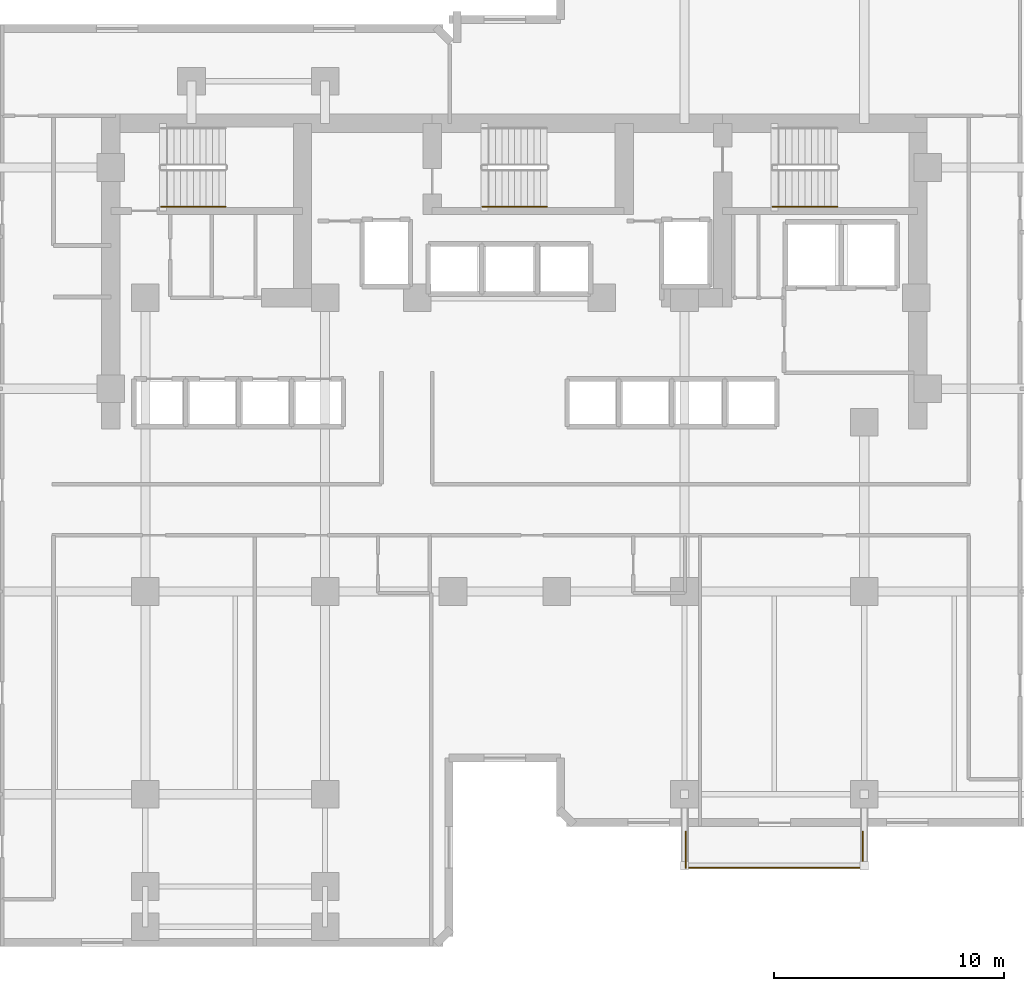
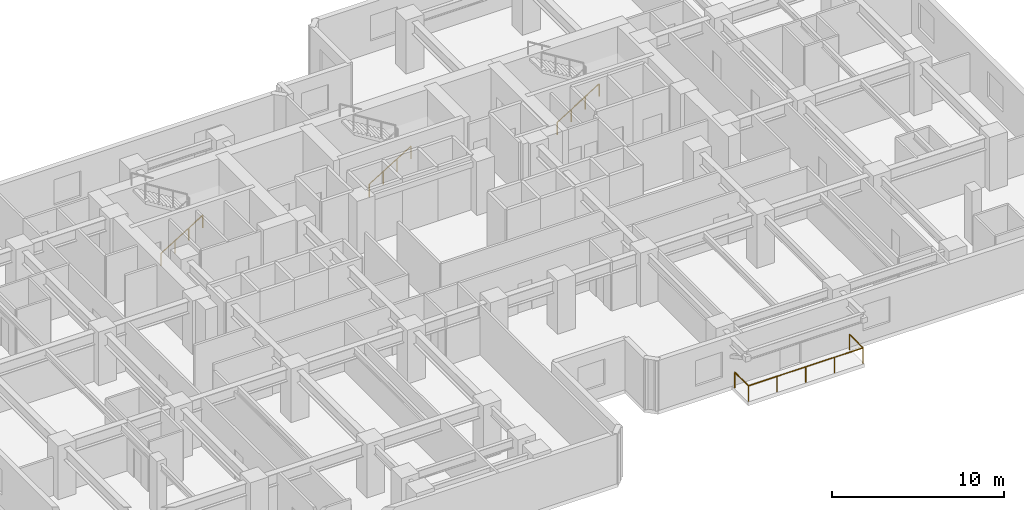
# One storey, part 10 of 11: 5 railings.
"""IFC4 building model written with IfcOpenShell, lengths in metres."""

from ifc_helpers import new_model, si_unit, direction, frame, origin, origin_2d, place, context, subcontext, project, spatial, circle, extrude, material, type_object, element, save


model = new_model("IFC4")

# Units and contexts
model_context = context("Model", 3, precision=1e-05, world=origin(), true_north=direction((0.0, 1.0)))
body_context = subcontext(model_context, "Body", "Model", "MODEL_VIEW")
ifc_project = project(units=[si_unit("LENGTHUNIT", "METRE"), si_unit("AREAUNIT", "SQUARE_METRE"), si_unit("VOLUMEUNIT", "CUBIC_METRE"), si_unit("PLANEANGLEUNIT", "RADIAN"), si_unit("MASSUNIT", "GRAM", prefix="KILO")], contexts=[model_context])

# Site, building, storey
site_placement = place(None, origin())
site = spatial("IfcSite", under=ifc_project, at=site_placement, CompositionType="ELEMENT")
building_placement = place(site_placement, origin())
building = spatial("IfcBuilding", under=site, at=building_placement, Name="Kestravale Grand Hotel", CompositionType="ELEMENT")
storey_placement = place(building_placement, frame((0.0, 0.0, 107.0)))
storey = spatial("IfcBuildingStorey", under=building, at=storey_placement, Name="L26", CompositionType="ELEMENT", Elevation=107.0)

# Railings
ifc_material_1 = material(Name="Champagne-bronze stainless steel and laminated glass guard", Category="steel")
railing_type_1 = type_object("IfcRailingType", Name="RL-EXT-1100", PredefinedType="GUARDRAIL", material=ifc_material_1)
railing_1_placement = place(storey_placement, frame((46.860107421875, 8.010009765625, 0.0)))
element("IfcRailing", 1, at=railing_1_placement, inside=storey, type_object=railing_type_1, Name="L26 outdoor terrace guard 1", PredefinedType="GUARDRAIL", context=body_context, shape_type="SweptSolid", body=[
    extrude(circle(Radius=0.02392578125, at=origin_2d()), frame((0.0, 0.0, 1.09619140625), z_axis=(0.0, 1.0, 0.0), x_axis=(-1.0, 0.0, 0.0)), (0.0, 0.0, 1.0), 1.570068359375),
    extrude(circle(Radius=0.02099609375, at=origin_2d()), origin(), (0.0, 0.0, 1.0), 1.072021484375),
    extrude(circle(Radius=0.02099609375, at=origin_2d()), frame((0.0, 1.570068359375, 0.0)), (0.0, 0.0, 1.0), 1.072021484375),
])
railing_2_placement = place(storey_placement, frame((54.5400390625, 9.580078125, 0.0)))
element("IfcRailing", 2, at=railing_2_placement, inside=storey, type_object=railing_type_1, Name="L26 outdoor terrace guard 2", PredefinedType="GUARDRAIL", context=body_context, shape_type="SweptSolid", body=[
    extrude(circle(Radius=0.02392578125, at=origin_2d()), frame((0.0, 0.0, 1.09619140625), z_axis=(0.0, -1.0, 0.0), x_axis=(1.0, 0.0, 0.0)), (0.0, 0.0, 1.0), 1.570068359375),
    extrude(circle(Radius=0.02392578125, at=origin_2d()), frame((0.0, -1.570068359375, 1.09619140625), z_axis=(-1.0, 0.0, 0.0), x_axis=(0.0, -1.0, 0.0)), (0.0, 0.0, 1.0), 7.679931640625),
    extrude(circle(Radius=0.02099609375, at=origin_2d()), origin(), (0.0, 0.0, 1.0), 1.072021484375),
    extrude(circle(Radius=0.02099609375, at=origin_2d()), frame((0.0, -1.570068359375, 0.0)), (0.0, 0.0, 1.0), 1.072021484375),
    extrude(circle(Radius=0.02099609375, at=origin_2d()), frame((-1.919921875, -1.570068359375, 0.0)), (0.0, 0.0, 1.0), 1.072021484375),
    extrude(circle(Radius=0.02099609375, at=origin_2d()), frame((-3.83984375, -1.570068359375, 0.0)), (0.0, 0.0, 1.0), 1.072021484375),
    extrude(circle(Radius=0.02099609375, at=origin_2d()), frame((-5.760009765625, -1.570068359375, 0.0)), (0.0, 0.0, 1.0), 1.072021484375),
    extrude(circle(Radius=0.02099609375, at=origin_2d()), frame((-7.679931640625, -1.570068359375, 0.0)), (0.0, 0.0, 1.0), 1.072021484375),
])
ifc_material_2 = material(Name="Brushed stainless steel wall handrail", Category="steel")
railing_type_2 = type_object("IfcRailingType", Name="RL-ST-HND900", PredefinedType="HANDRAIL", material=ifc_material_2)
railing_3_placement = place(storey_placement, frame((24.080078125, 36.699951171875, 0.172607421875)))
element("IfcRailing", 3, at=railing_3_placement, inside=storey, type_object=railing_type_2, Name="L26 ST-1 stair handrail 1", PredefinedType="HANDRAIL", context=body_context, shape_type="SweptSolid", body=[
    extrude(circle(Radius=0.02392578125, at=origin_2d()), frame((0.0, 0.0, 0.8759765625), z_axis=(0.851069175582, 0.0, 0.525053576669), x_axis=(0.0, 1.0, 0.0)), (0.0, 0.0, 1.0), 3.289794921875),
    extrude(circle(Radius=0.02099609375, at=origin_2d()), origin(), (0.0, 0.0, 1.0), 0.851806640625),
    extrude(circle(Radius=0.02099609375, at=origin_2d()), frame((0.933349609375, 0.0, 0.57568359375)), (0.0, 0.0, 1.0), 0.851806640625),
    extrude(circle(Radius=0.02099609375, at=origin_2d()), frame((1.866455078125, 0.0, 1.151611328125)), (0.0, 0.0, 1.0), 0.851806640625),
    extrude(circle(Radius=0.02099609375, at=origin_2d()), frame((2.7998046875, 0.0, 1.727294921875)), (0.0, 0.0, 1.0), 0.851806640625),
])
for number, where, name in (
    (4, (38.030029296875, 36.699951171875, 0.172607421875), "L26 ST-2 stair handrail 1"),
    (5, (50.6298828125, 36.699951171875, 0.172607421875), "L26 ST-3 stair handrail 1"),
):
    element("IfcRailing", number, at=place(storey_placement, frame(where)), inside=storey, type_object=railing_type_2, Name=name, PredefinedType="HANDRAIL", context=body_context, shape_type="SweptSolid", body=[
        extrude(circle(Radius=0.02392578125, at=origin_2d()), frame((0.0, 0.0, 0.8759765625), z_axis=(0.851089632645, 0.0, 0.525020415988), x_axis=(0.0, 1.0, 0.0)), (0.0, 0.0, 1.0), 3.2900390625),
        extrude(circle(Radius=0.02099609375, at=origin_2d()), origin(), (0.0, 0.0, 1.0), 0.851806640625),
        extrude(circle(Radius=0.02099609375, at=origin_2d()), frame((0.933349609375, 0.0, 0.57568359375)), (0.0, 0.0, 1.0), 0.851806640625),
        extrude(circle(Radius=0.02099609375, at=origin_2d()), frame((1.86669921875, 0.0, 1.151611328125)), (0.0, 0.0, 1.0), 0.851806640625),
        extrude(circle(Radius=0.02099609375, at=origin_2d()), frame((2.800048828125, 0.0, 1.727294921875)), (0.0, 0.0, 1.0), 0.851806640625),
    ])

save(model, "model.ifc")
